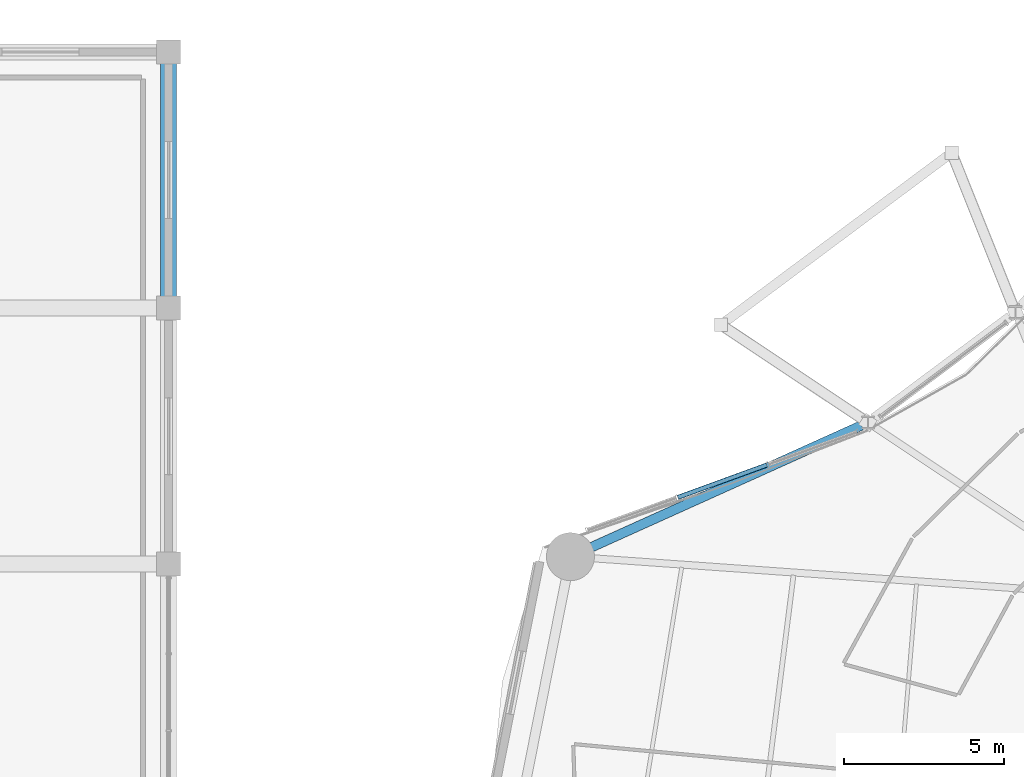
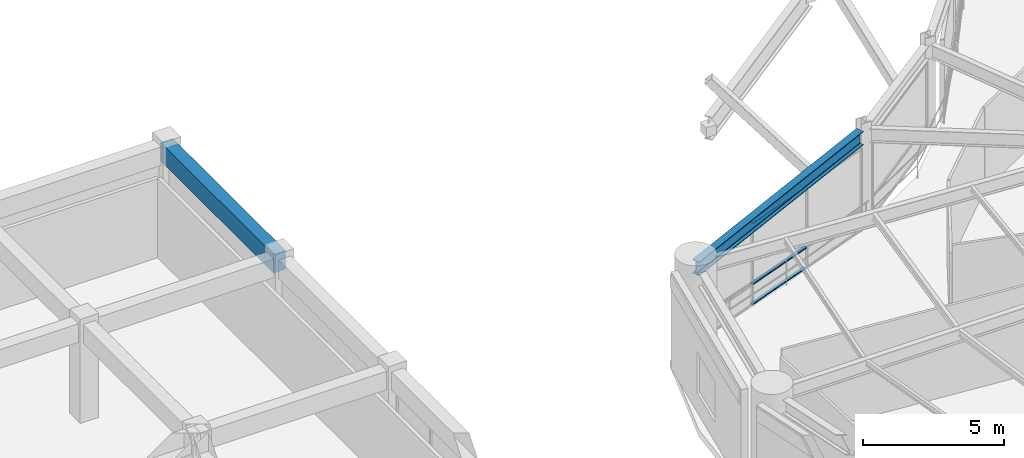
# One storey, part 30 of 55: 3 members, 2 beams, 1 element without a shape of its own.
"""IFC4 building model written with IfcOpenShell, lengths in metres."""

import ifcopenshell
import ifcopenshell.guid

model = None  # the IFC model being written
_history = None  # IfcOwnerHistory: only IFC2X3 demands one
_inside = {}  # id of a spatial element -> (the spatial element, [elements in it])
_under = {}  # id of a project, library or spatial element -> (it, [spatial elements below it])
_declared = {}  # id of a project -> (the project, [libraries it declares])
_typed = {}  # id of a type object -> (the type object, [elements of that type])
_made_of = {}  # id of a material, layer set ... -> (it, [elements and type objects made of it])


def new_model(schema):
    """Start an empty IFC model of exactly this schema.

    Asked for "IFC4X3", IfcOpenShell would pick the latest addendum, in which some entities
    have other attributes; the version numbers below select the first issue.
    IFC2X3 requires an IfcOwnerHistory on every rooted entity: one is made here for all.
    """
    global model, _history
    if schema == "IFC4X3":
        model = ifcopenshell.file(schema_version=(4, 3, 0, 0))
    else:
        model = ifcopenshell.file(schema=schema)
    _inside.clear()
    _under.clear()
    _declared.clear()
    _typed.clear()
    _made_of.clear()
    _history = None
    if model.schema == "IFC2X3":
        org = make("IfcOrganization", Name="unknown")
        user = make(
            "IfcPersonAndOrganization",
            ThePerson=make("IfcPerson", FamilyName="unknown"),
            TheOrganization=org,
        )
        app = make(
            "IfcApplication",
            ApplicationDeveloper=org,
            Version="unknown",
            ApplicationFullName="unknown",
            ApplicationIdentifier="unknown",
        )
        _history = make(
            "IfcOwnerHistory",
            OwningUser=user,
            OwningApplication=app,
            ChangeAction="ADDED",
            CreationDate=0,
        )
    return model


def make(cls, **values):
    """One entity of the class cls with the attributes given. An attribute that is None is left unset."""
    return model.create_entity(
        cls, **{name: value for name, value in values.items() if value is not None}
    )


def rooted(cls, **values):
    """An entity with a GlobalId (a new one), such as an element, a storey or a relation."""
    return make(cls, GlobalId=ifcopenshell.guid.new(), OwnerHistory=_history, **values)


def si_unit(unit_type, name, prefix=None):
    """IfcSIUnit, for example si_unit("LENGTHUNIT", "METRE", prefix="MILLI")."""
    return make("IfcSIUnit", UnitType=unit_type, Prefix=prefix, Name=name)


def assignment(units):
    """IfcUnitAssignment: the units of a project."""
    return None if units is None else make("IfcUnitAssignment", Units=units)


def point(xyz):
    """IfcCartesianPoint."""
    return None if xyz is None else make("IfcCartesianPoint", Coordinates=xyz)


def direction(xyz):
    """IfcDirection."""
    return None if xyz is None else make("IfcDirection", DirectionRatios=xyz)


def frame(location, z_axis=None, x_axis=None):
    """IfcAxis2Placement3D, a coordinate frame: its origin and axes. An axis left out is left unset."""
    return make(
        "IfcAxis2Placement3D",
        Location=point(location),
        Axis=direction(z_axis),
        RefDirection=direction(x_axis),
    )


def frame_2d(location, x_axis=None):
    """IfcAxis2Placement2D, a coordinate frame in the plane: its origin and x axis."""
    return make(
        "IfcAxis2Placement2D", Location=point(location), RefDirection=direction(x_axis)
    )


def origin():
    """The frame at (0, 0, 0) with its axes left unset."""
    return frame((0.0, 0.0, 0.0))


def origin_2d():
    """The frame at (0, 0) in the plane with its x axis left unset."""
    return frame_2d((0.0, 0.0))


def place(relative_to, where):
    """IfcLocalPlacement: puts the frame where relative to a parent placement (None: the world)."""
    return make(
        "IfcLocalPlacement", PlacementRelTo=relative_to, RelativePlacement=where
    )


def context(
    kind, dimensions, precision=None, world=None, true_north=None, identifier=None
):
    """IfcGeometricRepresentationContext, for example the 3D "Model" context."""
    return make(
        "IfcGeometricRepresentationContext",
        ContextIdentifier=identifier,
        ContextType=kind,
        CoordinateSpaceDimension=dimensions,
        Precision=precision,
        WorldCoordinateSystem=world,
        TrueNorth=true_north,
    )


def subcontext(parent, identifier, kind, view, scale=None):
    """IfcGeometricRepresentationSubContext, for example "Body" below "Model"."""
    return make(
        "IfcGeometricRepresentationSubContext",
        ContextIdentifier=identifier,
        ContextType=kind,
        ParentContext=parent,
        TargetScale=scale,
        TargetView=view,
    )


def project(units=None, contexts=None):
    """IfcProject with its units and contexts."""
    return rooted(
        "IfcProject",
        Name="project",
        RepresentationContexts=contexts,
        UnitsInContext=assignment(units),
    )


def spatial(cls, under=None, at=None, **own):
    """A site, building, storey or space (cls), placed at a placement, below another one or the project."""
    s = rooted(cls, ObjectPlacement=at, **own)
    if under is not None:
        _under.setdefault(under.id(), (under, []))[1].append(s)
    return s


def profile(cls, at=None, kind="AREA", **sizes):
    """A parametric profile (cls). Its sizes go by their IFC names, for example OverallWidth=200.0."""
    return make(cls, ProfileType=kind, Position=at, **sizes)


def rectangle(**sizes):
    """IfcRectangleProfileDef."""
    return profile("IfcRectangleProfileDef", **sizes)


def hollow_rectangle(**sizes):
    """IfcRectangleHollowProfileDef."""
    return profile("IfcRectangleHollowProfileDef", **sizes)


def i_section(**sizes):
    """IfcIShapeProfileDef."""
    return profile("IfcIShapeProfileDef", **sizes)


def extrude(swept, where, along, depth):
    """IfcExtrudedAreaSolid: the profile swept, set in the frame where, extruded along a direction by depth."""
    return make(
        "IfcExtrudedAreaSolid",
        SweptArea=swept,
        Position=where,
        ExtrudedDirection=direction(along),
        Depth=depth,
    )


def shape(context_of_items, identifier, shape_type, items):
    """IfcShapeRepresentation: the items that make up one representation, for example the "Body"."""
    return make(
        "IfcShapeRepresentation",
        ContextOfItems=context_of_items,
        RepresentationIdentifier=identifier,
        RepresentationType=shape_type,
        Items=items,
    )


def material(Name=None, Category=None):
    """IfcMaterial."""
    return make("IfcMaterial", Name=Name, Category=Category)


def layer(
    of_material, thickness, ventilated=None, Name=None, Category=None, Priority=None
):
    """IfcMaterialLayer: one layer of a wall or slab, of a material (None: an air gap)."""
    return make(
        "IfcMaterialLayer",
        Material=of_material,
        LayerThickness=thickness,
        IsVentilated=ventilated,
        Name=Name,
        Category=Category,
        Priority=Priority,
    )


def layer_set(layers, Name=None):
    """IfcMaterialLayerSet."""
    return make("IfcMaterialLayerSet", MaterialLayers=layers, LayerSetName=Name)


def material_profile(
    of_material, cross_section, Name=None, Category=None, Priority=None
):
    """IfcMaterialProfile: a cross section and its material."""
    return make(
        "IfcMaterialProfile",
        Name=Name,
        Material=of_material,
        Profile=cross_section,
        Priority=Priority,
        Category=Category,
    )


def profile_set(profiles, Name=None, composite=None):
    """IfcMaterialProfileSet."""
    return make(
        "IfcMaterialProfileSet",
        Name=Name,
        MaterialProfiles=profiles,
        CompositeProfile=composite,
    )


def made_of(thing, what):
    """Note that an element or type object is made of a material, layer set ...; save() writes the relation."""
    if what is not None:
        _made_of.setdefault(what.id(), (what, []))[1].append(thing)
    return thing


def type_object(cls, material=None, **own):
    """A type object (cls), such as IfcWallType, which elements share."""
    return made_of(rooted(cls, **own), material)


def element(
    cls,
    number,
    at=None,
    inside=None,
    cuts=None,
    type_object=None,
    material=None,
    context=None,
    identifier="Body",
    shape_type=None,
    held_by="IfcProductDefinitionShape",
    body=None,
    shapes=None,
    **own,
):
    """One element of the class cls, such as IfcWall. Its Tag is "e" and its number.

    at: its placement. inside: the storey or other place that contains it. cuts: it is an
    opening in that element (IfcRelVoidsElement). A single representation is given by context,
    identifier, shape_type and body (its items); several are given by shapes. held_by: the class
    of the entity that holds the representations. save() writes the other relations.
    """
    e = rooted(cls, Tag="e%d" % number, ObjectPlacement=at, **own)
    if body is not None:
        shapes = [shape(context, identifier, shape_type, body)]
    if shapes is not None:
        e.Representation = make(held_by, Representations=shapes)
    if inside is not None:
        _inside.setdefault(inside.id(), (inside, []))[1].append(e)
    if cuts is not None:
        rooted(
            "IfcRelVoidsElement", RelatingBuildingElement=cuts, RelatedOpeningElement=e
        )
    if type_object is not None:
        _typed.setdefault(type_object.id(), (type_object, []))[1].append(e)
    return made_of(e, material)


def aggregate(whole, parts):
    """IfcRelAggregates: a whole, such as a stair, and the parts it consists of."""
    return rooted("IfcRelAggregates", RelatingObject=whole, RelatedObjects=parts)


def save(model, path):
    """Write the relations noted so far, then the file.

    IfcRelAggregates (storeys below a building ...), IfcRelContainedInSpatialStructure (elements
    in a storey), IfcRelDefinesByType, IfcRelAssociatesMaterial and IfcRelDeclares: one each for
    every whole, place, type object, material and project.
    """
    for whole, parts in _under.values():
        aggregate(whole, parts)
    for where, things in _inside.values():
        rooted(
            "IfcRelContainedInSpatialStructure",
            RelatedElements=things,
            RelatingStructure=where,
        )
    for kind, things in _typed.values():
        rooted("IfcRelDefinesByType", RelatedObjects=things, RelatingType=kind)
    for what, things in _made_of.values():
        rooted("IfcRelAssociatesMaterial", RelatedObjects=things, RelatingMaterial=what)
    for by, libraries in _declared.values():
        rooted("IfcRelDeclares", RelatingContext=by, RelatedDefinitions=libraries)
    model.write(path)


model = new_model("IFC4")

# Units and contexts
model_context = context("Model", 3, precision=1e-05, world=origin(), true_north=direction((0.0, 1.0)))
body_context = subcontext(model_context, "Body", "Model", "MODEL_VIEW")
ifc_project = project(units=[si_unit("LENGTHUNIT", "METRE"), si_unit("AREAUNIT", "SQUARE_METRE"), si_unit("VOLUMEUNIT", "CUBIC_METRE"), si_unit("PLANEANGLEUNIT", "RADIAN"), si_unit("MASSUNIT", "GRAM", prefix="KILO")], contexts=[model_context])

# Site, building, storey
site_placement = place(None, origin())
site = spatial("IfcSite", under=ifc_project, at=site_placement, CompositionType="ELEMENT")
building_placement = place(site_placement, origin())
building = spatial("IfcBuilding", under=site, at=building_placement, Name="Kelanora Arch Commons", CompositionType="ELEMENT")
storey_placement = place(building_placement, frame((0.0, 0.0, 4.5)))
storey = spatial("IfcBuildingStorey", under=building, at=storey_placement, Name="L01", CompositionType="ELEMENT", Elevation=4.5)

# Beams
ifc_material_1 = material(Name="Concrete C40/50", Category="concrete")
ifc_material_profile_1 = material_profile(ifc_material_1, rectangle(XDim=0.5, YDim=0.800048828125, at=origin_2d()), Name="RCB500x800")
ifc_profile_set_1 = profile_set([ifc_material_profile_1], Name="Concrete C40/50")
beam_type_1 = type_object("IfcBeamType", Name="BM-MKT-RC1", PredefinedType="BEAM", material=ifc_profile_set_1)
beam_1_placement = place(storey_placement, frame((36.0, 74.0, 3.840087890625), z_axis=(0.0, 1.0, 0.0), x_axis=(-1.0, 0.0, 0.0)))
element("IfcBeam", 1, at=beam_1_placement, inside=storey, type_object=beam_type_1, Name="Market/Basement Frame Beam 093 L01", PredefinedType="BEAM", context=body_context, shape_type="SweptSolid", body=[
    extrude(rectangle(XDim=0.5, YDim=0.800048828125, at=origin_2d()), origin(), (0.0, 0.0, 1.0), 8.0),
])
ifc_material_2 = material(Name="Steel S355", Category="steel")
ifc_material_profile_2 = material_profile(ifc_material_2, i_section(OverallWidth=0.300048828125, OverallDepth=0.60009765625, WebThickness=0.015380859375, FlangeThickness=0.030029296875, FilletRadius=0.027099609375, at=origin_2d()), Name="HEB600")
ifc_profile_set_2 = profile_set([ifc_material_profile_2], Name="Steel S355")
beam_type_2 = type_object("IfcBeamType", Name="BM-SPN-Z1", PredefinedType="SPANDREL", material=ifc_profile_set_2)
beam_2_placement = place(storey_placement, frame((57.64306640625, 70.335693359375, 3.89990234375), z_axis=(-0.911571644147, -0.411141262326, 0.0), x_axis=(0.411141262326, -0.911571644147, 0.0)))
element("IfcBeam", 2, at=beam_2_placement, inside=storey, type_object=beam_type_2, Name="Perimeter Spandrel Beam BS-14 L01", PredefinedType="SPANDREL", context=body_context, shape_type="SweptSolid", body=[
    extrude(i_section(OverallWidth=0.300048828125, OverallDepth=0.60009765625, WebThickness=0.015380859375, FlangeThickness=0.030029296875, FilletRadius=0.027099609375, at=origin_2d()), origin(), (0.0, 0.0, 1.0), 9.971923828125),
])

# Curtain wall, members
ifc_material_3 = material(Name="Terracotta ceramic-fritted low-E glass and aluminium", Category="masonry")
ifc_layer = layer(ifc_material_3, 0.2099609375)
ifc_layer_set = layer_set([ifc_layer], Name="Terracotta ceramic-fritted low-E glass and aluminium")
curtain_wall_type = type_object("IfcCurtainWallType", Name="CW-SYS-04", PredefinedType="NOTDEFINED", material=ifc_layer_set)
curtain_wall_placement = place(storey_placement, origin())
curtain_wall = element("IfcCurtainWall", 3, at=curtain_wall_placement, inside=storey, type_object=curtain_wall_type, Name="Unitised Curtain Wall L01-B07", PredefinedType="NOTDEFINED")
ifc_material_4 = material(Name="Powder-coated aluminium terracotta", Category="masonry")
ifc_material_profile_3 = material_profile(ifc_material_4, hollow_rectangle(XDim=0.139892578125, YDim=0.06005859375, WallThickness=0.0048828125, InnerFilletRadius=0.0048828125, OuterFilletRadius=0.010009765625, at=origin_2d()), Name="CWT140x60")
ifc_profile_set_3 = profile_set([ifc_material_profile_3], Name="Powder-coated aluminium terracotta")
member_type = type_object("IfcMemberType", Name="CWT-HVY", PredefinedType="USERDEFINED", material=ifc_profile_set_3)
member_1_placement = place(storey_placement, frame((54.689208984375, 69.10107421875, 0.030029296875), z_axis=(-0.939576468846, -0.342339099711, 0.0), x_axis=(0.342339099711, -0.939576468846, 0.0)))
member_1 = element("IfcMember", 4, at=member_1_placement, type_object=member_type, Name="CW-04 transom 2.1", ObjectType="TRANSOM", PredefinedType="USERDEFINED", context=body_context, shape_type="SweptSolid", body=[
    extrude(hollow_rectangle(XDim=0.139892578125, YDim=0.06005859375, WallThickness=0.0048828125, InnerFilletRadius=0.0048828125, OuterFilletRadius=0.010009765625, at=origin_2d()), origin(), (0.0, 0.0, 1.0), 2.95947265625),
])
member_2_placement = place(storey_placement, frame((54.689208984375, 69.10107421875, 0.89990234375), z_axis=(-0.939576468846, -0.342339099711, 0.0), x_axis=(0.342339099711, -0.939576468846, 0.0)))
member_2 = element("IfcMember", 5, at=member_2_placement, type_object=member_type, Name="CW-04 transom 2.2", ObjectType="TRANSOM", PredefinedType="USERDEFINED", context=body_context, shape_type="SweptSolid", body=[
    extrude(hollow_rectangle(XDim=0.139892578125, YDim=0.06005859375, WallThickness=0.0048828125, InnerFilletRadius=0.0048828125, OuterFilletRadius=0.010009765625, at=origin_2d()), origin(), (0.0, 0.0, 1.0), 2.95947265625),
])
member_3_placement = place(storey_placement, frame((54.689208984375, 69.10107421875, 3.550048828125), z_axis=(-0.939576468846, -0.342339099711, 0.0), x_axis=(0.342339099711, -0.939576468846, 0.0)))
member_3 = element("IfcMember", 6, at=member_3_placement, type_object=member_type, Name="CW-04 transom 2.3", ObjectType="TRANSOM", PredefinedType="USERDEFINED", context=body_context, shape_type="SweptSolid", body=[
    extrude(hollow_rectangle(XDim=0.139892578125, YDim=0.06005859375, WallThickness=0.0048828125, InnerFilletRadius=0.0048828125, OuterFilletRadius=0.010009765625, at=origin_2d()), origin(), (0.0, 0.0, 1.0), 2.95947265625),
])
aggregate(curtain_wall, [member_1, member_2, member_3])

save(model, "model.ifc")
